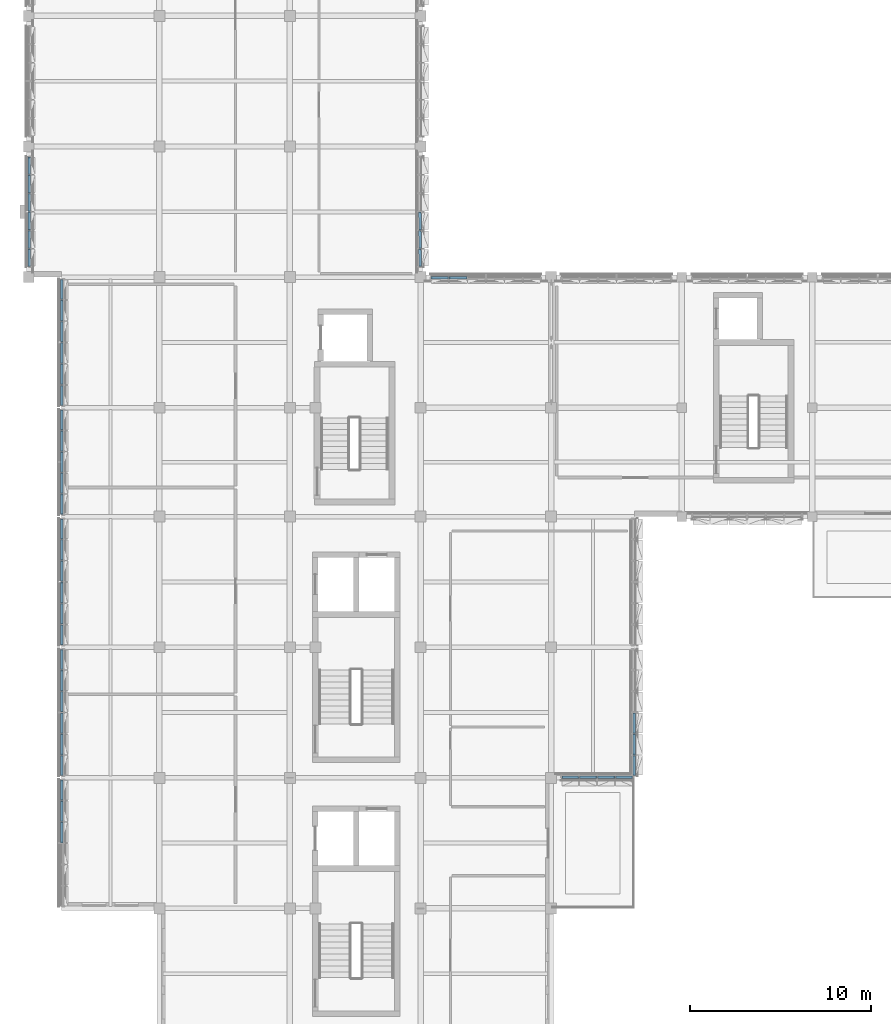
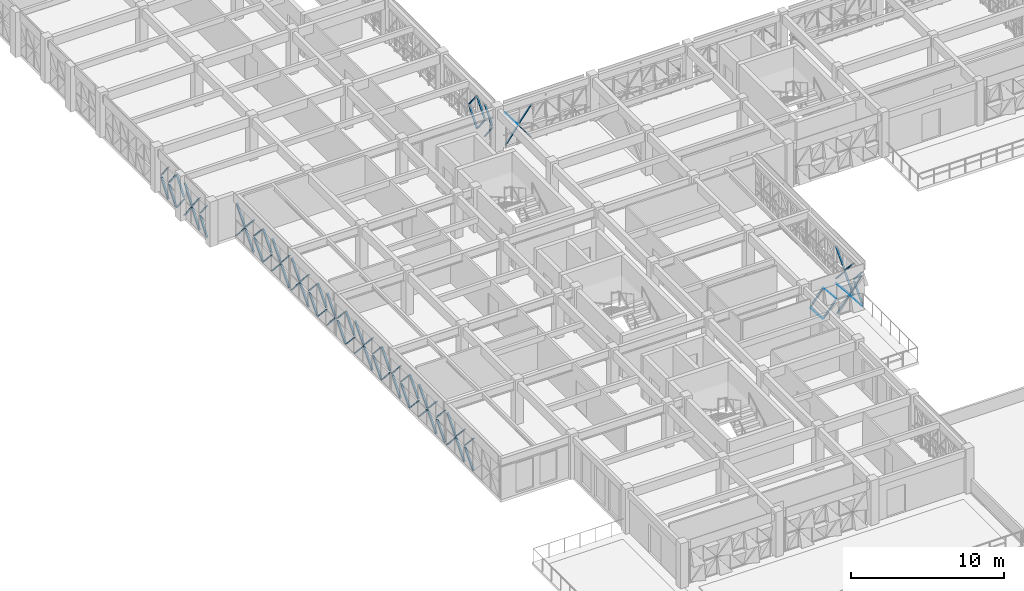
# One storey, part 45 of 74: 88 discrete accessories.
"""IFC4 building model written with IfcOpenShell, lengths in metres."""

from ifc_helpers import new_model, si_unit, direction, frame, origin, origin_2d, place, context, subcontext, project, spatial, rectangle, extrude, material, type_object, element, save


model = new_model("IFC4")

# Units and contexts
model_context = context("Model", 3, precision=1e-05, world=origin(), true_north=direction((0.0, 1.0)))
body_context = subcontext(model_context, "Body", "Model", "MODEL_VIEW")
ifc_project = project(units=[si_unit("LENGTHUNIT", "METRE"), si_unit("AREAUNIT", "SQUARE_METRE"), si_unit("VOLUMEUNIT", "CUBIC_METRE"), si_unit("PLANEANGLEUNIT", "RADIAN"), si_unit("MASSUNIT", "GRAM", prefix="KILO")], contexts=[model_context])

# Site, building, storey
site_placement = place(None, origin())
site = spatial("IfcSite", under=ifc_project, at=site_placement, CompositionType="ELEMENT")
building_placement = place(site_placement, origin())
building = spatial("IfcBuilding", under=site, at=building_placement, Name="Alvorim Cloister Faculty of Sciences", CompositionType="ELEMENT")
storey_placement = place(building_placement, frame((0.0, 0.0, 15.75)))
storey = spatial("IfcBuildingStorey", under=building, at=storey_placement, Name="L04", CompositionType="ELEMENT", Elevation=15.75)

# Discrete accessories
ifc_material = material(Name="Aluminium Alloy 6063-T6", Category="aluminium")
discrete_accessory_type = type_object("IfcDiscreteAccessoryType", Name="ACC-DIAG-BAR", PredefinedType="BRACKET", material=ifc_material)
for number, where, z_axis, x_axis, name in (
    (1, (1.822509765625, 25.232421875, 0.139892578125), (0.006076684558, 0.672881655969, 0.73972518611), (-0.999959224486, 0.009030468767, 0.0), "Diagonal Cassette Glazing Bracket ACC-01759"),
    (2, (1.822509765625, 25.232421875, 2.717041015625), (0.006076684558, 0.672881655969, -0.73972518611), (-0.999959224486, 0.009030468767, 0.0), "Diagonal Cassette Glazing Bracket ACC-01760"),
    (3, (1.822509765625, 26.40576171875, 0.139892578125), (0.006076684558, 0.672881655969, 0.73972518611), (-0.999959224486, 0.009030468767, 0.0), "Diagonal Cassette Glazing Bracket ACC-01761"),
    (4, (1.822509765625, 26.40576171875, 2.717041015625), (0.006076684558, 0.672881655969, -0.73972518611), (-0.999959224486, 0.009030468767, 0.0), "Diagonal Cassette Glazing Bracket ACC-01762"),
):
    element("IfcDiscreteAccessory", number, at=place(storey_placement, frame(where, z_axis=z_axis, x_axis=x_axis)), inside=storey, type_object=discrete_accessory_type, Name=name, PredefinedType="BRACKET", context=body_context, shape_type="SweptSolid", body=[
        extrude(rectangle(XDim=0.139892578125, YDim=0.044921875, at=origin_2d()), origin(), (0.0, 0.0, 1.0), 1.647216796875),
    ])
for number, where, z_axis, x_axis, name in (
    (5, (1.822509765625, 27.5791015625, 1.3583984375), (0.00615769655, 0.661877285306, -0.749586914219), (-0.99995672636, 0.009302978394, 0.0), "Diagonal Cassette Glazing Bracket ACC-01763"),
    (6, (1.822509765625, 27.5791015625, 1.49853515625), (0.00615769655, 0.661877285306, 0.749586914219), (-0.99995672636, 0.009302978394, 0.0), "Diagonal Cassette Glazing Bracket ACC-01764"),
    (7, (1.822509765625, 28.945068359375, 0.139892578125), (0.006158308683, 0.661792879469, 0.749661430193), (-0.999956706716, 0.009305089645, 0.0), "Diagonal Cassette Glazing Bracket ACC-01766"),
    (8, (1.822509765625, 28.945068359375, 2.717041015625), (0.006158308683, 0.661792879469, -0.749661430193), (-0.999956706716, 0.009305089645, 0.0), "Diagonal Cassette Glazing Bracket ACC-01767"),
):
    element("IfcDiscreteAccessory", number, at=place(storey_placement, frame(where, z_axis=z_axis, x_axis=x_axis)), inside=storey, type_object=discrete_accessory_type, Name=name, PredefinedType="BRACKET", context=body_context, shape_type="SweptSolid", body=[
        extrude(rectangle(XDim=0.139892578125, YDim=0.044921875, at=origin_2d()), origin(), (0.0, 0.0, 1.0), 1.62548828125),
    ])
for number, where, z_axis, x_axis, name in (
    (9, (1.822509765625, 30.0859375, 0.139892578125), (0.006077290604, 0.67280053784, 0.739798961084), (-0.999959206518, 0.009032458133, 0.0), "Diagonal Cassette Glazing Bracket ACC-01768"),
    (10, (1.822509765625, 30.0859375, 2.717041015625), (0.006077290604, 0.67280053784, -0.739798961084), (-0.999959206518, 0.009032458133, 0.0), "Diagonal Cassette Glazing Bracket ACC-01769"),
    (11, (1.822509765625, 31.25927734375, 1.3583984375), (0.006077290604, 0.67280053784, -0.739798961084), (-0.999959206518, 0.009032458133, 0.0), "Diagonal Cassette Glazing Bracket ACC-01770"),
    (12, (1.822509765625, 31.25927734375, 1.49853515625), (0.006077290604, 0.67280053784, 0.739798961084), (-0.999959206518, 0.009032458133, 0.0), "Diagonal Cassette Glazing Bracket ACC-01771"),
    (13, (1.822509765625, 32.4326171875, 1.3583984375), (0.006077290604, 0.67280053784, -0.739798961084), (-0.999959206518, 0.009032458133, 0.0), "Diagonal Cassette Glazing Bracket ACC-01772"),
    (14, (1.822509765625, 32.4326171875, 1.49853515625), (0.006077290604, 0.67280053784, 0.739798961084), (-0.999959206518, 0.009032458133, 0.0), "Diagonal Cassette Glazing Bracket ACC-01773"),
):
    element("IfcDiscreteAccessory", number, at=place(storey_placement, frame(where, z_axis=z_axis, x_axis=x_axis)), inside=storey, type_object=discrete_accessory_type, Name=name, PredefinedType="BRACKET", context=body_context, shape_type="SweptSolid", body=[
        extrude(rectangle(XDim=0.139892578125, YDim=0.044921875, at=origin_2d()), origin(), (0.0, 0.0, 1.0), 1.64697265625),
    ])
for number, where, z_axis, x_axis, name in (
    (15, (1.822509765625, 33.605712890625, 0.139892578125), (0.006076684558, 0.672881655969, 0.73972518611), (-0.999959224486, 0.009030468767, 0.0), "Diagonal Cassette Glazing Bracket ACC-01774"),
    (16, (1.822509765625, 33.605712890625, 2.717041015625), (0.006076684558, 0.672881655969, -0.73972518611), (-0.999959224486, 0.009030468767, 0.0), "Diagonal Cassette Glazing Bracket ACC-01775"),
):
    element("IfcDiscreteAccessory", number, at=place(storey_placement, frame(where, z_axis=z_axis, x_axis=x_axis)), inside=storey, type_object=discrete_accessory_type, Name=name, PredefinedType="BRACKET", context=body_context, shape_type="SweptSolid", body=[
        extrude(rectangle(XDim=0.139892578125, YDim=0.044921875, at=origin_2d()), origin(), (0.0, 0.0, 1.0), 1.647216796875),
    ])
for number, where, z_axis, x_axis, name in (
    (17, (1.822509765625, 34.779052734375, 0.139892578125), (0.00615769655, 0.661877285306, 0.749586914219), (-0.99995672636, 0.009302978394, 0.0), "Diagonal Cassette Glazing Bracket ACC-01776"),
    (18, (1.822509765625, 34.779052734375, 2.717041015625), (0.00615769655, 0.661877285306, -0.749586914219), (-0.99995672636, 0.009302978394, 0.0), "Diagonal Cassette Glazing Bracket ACC-01777"),
    (19, (1.822509765625, 36.14501953125, 1.3583984375), (0.00615769655, 0.661877285306, -0.749586914219), (-0.99995672636, 0.009302978394, 0.0), "Diagonal Cassette Glazing Bracket ACC-01779"),
    (20, (1.822509765625, 36.14501953125, 1.49853515625), (0.00615769655, 0.661877285306, 0.749586914219), (-0.99995672636, 0.009302978394, 0.0), "Diagonal Cassette Glazing Bracket ACC-01780"),
):
    element("IfcDiscreteAccessory", number, at=place(storey_placement, frame(where, z_axis=z_axis, x_axis=x_axis)), inside=storey, type_object=discrete_accessory_type, Name=name, PredefinedType="BRACKET", context=body_context, shape_type="SweptSolid", body=[
        extrude(rectangle(XDim=0.139892578125, YDim=0.044921875, at=origin_2d()), origin(), (0.0, 0.0, 1.0), 1.62548828125),
    ])
for number, where, z_axis, x_axis, name in (
    (21, (1.822509765625, 37.285888671875, 0.139892578125), (0.006076684558, 0.672881655969, 0.73972518611), (-0.999959224486, 0.009030468767, 0.0), "Diagonal Cassette Glazing Bracket ACC-01781"),
    (22, (1.822509765625, 37.285888671875, 2.717041015625), (0.006076684558, 0.672881655969, -0.73972518611), (-0.999959224486, 0.009030468767, 0.0), "Diagonal Cassette Glazing Bracket ACC-01782"),
):
    element("IfcDiscreteAccessory", number, at=place(storey_placement, frame(where, z_axis=z_axis, x_axis=x_axis)), inside=storey, type_object=discrete_accessory_type, Name=name, PredefinedType="BRACKET", context=body_context, shape_type="SweptSolid", body=[
        extrude(rectangle(XDim=0.139892578125, YDim=0.044921875, at=origin_2d()), origin(), (0.0, 0.0, 1.0), 1.647216796875),
    ])
for number, where, z_axis, x_axis, name in (
    (23, (1.822509765625, 38.459228515625, 0.139892578125), (0.006077290604, 0.67280053784, 0.739798961084), (-0.999959206518, 0.009032458133, 0.0), "Diagonal Cassette Glazing Bracket ACC-01783"),
    (24, (1.822509765625, 38.459228515625, 2.717041015625), (0.006077290604, 0.67280053784, -0.739798961084), (-0.999959206518, 0.009032458133, 0.0), "Diagonal Cassette Glazing Bracket ACC-01784"),
    (25, (1.822509765625, 39.632568359375, 1.3583984375), (0.006077290604, 0.67280053784, -0.739798961084), (-0.999959206518, 0.009032458133, 0.0), "Diagonal Cassette Glazing Bracket ACC-01785"),
    (26, (1.822509765625, 39.632568359375, 1.49853515625), (0.006077290604, 0.67280053784, 0.739798961084), (-0.999959206518, 0.009032458133, 0.0), "Diagonal Cassette Glazing Bracket ACC-01786"),
    (27, (1.822509765625, 40.805908203125, 1.3583984375), (0.006077290604, 0.67280053784, -0.739798961084), (-0.999959206518, 0.009032458133, 0.0), "Diagonal Cassette Glazing Bracket ACC-01787"),
    (28, (1.822509765625, 40.805908203125, 1.49853515625), (0.006077290604, 0.67280053784, 0.739798961084), (-0.999959206518, 0.009032458133, 0.0), "Diagonal Cassette Glazing Bracket ACC-01788"),
):
    element("IfcDiscreteAccessory", number, at=place(storey_placement, frame(where, z_axis=z_axis, x_axis=x_axis)), inside=storey, type_object=discrete_accessory_type, Name=name, PredefinedType="BRACKET", context=body_context, shape_type="SweptSolid", body=[
        extrude(rectangle(XDim=0.139892578125, YDim=0.044921875, at=origin_2d()), origin(), (0.0, 0.0, 1.0), 1.64697265625),
    ])
for number, where, z_axis, x_axis, name in (
    (29, (1.822509765625, 41.979248046875, 0.139892578125), (0.006158308683, 0.661792879469, 0.749661430193), (-0.999956706716, 0.009305089645, 0.0), "Diagonal Cassette Glazing Bracket ACC-01789"),
    (30, (1.822509765625, 41.979248046875, 2.717041015625), (0.006158308683, 0.661792879469, -0.749661430193), (-0.999956706716, 0.009305089645, 0.0), "Diagonal Cassette Glazing Bracket ACC-01790"),
):
    element("IfcDiscreteAccessory", number, at=place(storey_placement, frame(where, z_axis=z_axis, x_axis=x_axis)), inside=storey, type_object=discrete_accessory_type, Name=name, PredefinedType="BRACKET", context=body_context, shape_type="SweptSolid", body=[
        extrude(rectangle(XDim=0.139892578125, YDim=0.044921875, at=origin_2d()), origin(), (0.0, 0.0, 1.0), 1.62548828125),
    ])
for number, where, z_axis, x_axis, name in (
    (31, (1.822509765625, 43.344970703125, 1.3583984375), (0.006171173495, 0.660014531136, -0.751227485724), (-0.999956291083, 0.009349648332, 0.0), "Diagonal Cassette Glazing Bracket ACC-01792"),
    (32, (1.822509765625, 43.344970703125, 1.49853515625), (0.006171173495, 0.660014531136, 0.751227485724), (-0.999956291083, 0.009349648332, 0.0), "Diagonal Cassette Glazing Bracket ACC-01793"),
):
    element("IfcDiscreteAccessory", number, at=place(storey_placement, frame(where, z_axis=z_axis, x_axis=x_axis)), inside=storey, type_object=discrete_accessory_type, Name=name, PredefinedType="BRACKET", context=body_context, shape_type="SweptSolid", body=[
        extrude(rectangle(XDim=0.139892578125, YDim=0.044921875, at=origin_2d()), origin(), (0.0, 0.0, 1.0), 1.6220703125),
    ])
for number, where, z_axis, x_axis, name in (
    (33, (1.822509765625, 44.48046875, 1.3583984375), (0.006090028559, 0.671091439759, -0.741349574111), (-0.999958826438, 0.009074438221, 0.0), "Diagonal Cassette Glazing Bracket ACC-01794"),
    (34, (1.822509765625, 44.48046875, 1.49853515625), (0.006090028559, 0.671091439759, 0.741349574111), (-0.999958826438, 0.009074438221, 0.0), "Diagonal Cassette Glazing Bracket ACC-01795"),
    (35, (1.822509765625, 45.6484375, 0.139892578125), (0.006090028559, 0.671091439759, 0.741349574111), (-0.999958826438, 0.009074438221, 0.0), "Diagonal Cassette Glazing Bracket ACC-01796"),
    (36, (1.822509765625, 45.6484375, 2.717041015625), (0.006090028559, 0.671091439759, -0.741349574111), (-0.999958826438, 0.009074438221, 0.0), "Diagonal Cassette Glazing Bracket ACC-01797"),
    (37, (1.822509765625, 46.81640625, 0.139892578125), (0.006090028559, 0.671091439759, 0.741349574111), (-0.999958826438, 0.009074438221, 0.0), "Diagonal Cassette Glazing Bracket ACC-01798"),
    (38, (1.822509765625, 46.81640625, 2.717041015625), (0.006090028559, 0.671091439759, -0.741349574111), (-0.999958826438, 0.009074438221, 0.0), "Diagonal Cassette Glazing Bracket ACC-01799"),
):
    element("IfcDiscreteAccessory", number, at=place(storey_placement, frame(where, z_axis=z_axis, x_axis=x_axis)), inside=storey, type_object=discrete_accessory_type, Name=name, PredefinedType="BRACKET", context=body_context, shape_type="SweptSolid", body=[
        extrude(rectangle(XDim=0.139892578125, YDim=0.044921875, at=origin_2d()), origin(), (0.0, 0.0, 1.0), 1.6435546875),
    ])
for number, where, z_axis, x_axis, name in (
    (39, (1.822509765625, 47.984619140625, 1.3583984375), (0.00617178658, 0.659929569892, -0.751302117548), (-0.999956271142, 0.00935178082, 0.0), "Diagonal Cassette Glazing Bracket ACC-01800"),
    (40, (1.822509765625, 47.984619140625, 1.49853515625), (0.00617178658, 0.659929569892, 0.751302117548), (-0.999956271142, 0.00935178082, 0.0), "Diagonal Cassette Glazing Bracket ACC-01801"),
):
    element("IfcDiscreteAccessory", number, at=place(storey_placement, frame(where, z_axis=z_axis, x_axis=x_axis)), inside=storey, type_object=discrete_accessory_type, Name=name, PredefinedType="BRACKET", context=body_context, shape_type="SweptSolid", body=[
        extrude(rectangle(XDim=0.139892578125, YDim=0.044921875, at=origin_2d()), origin(), (0.0, 0.0, 1.0), 1.621826171875),
    ])
for number, where, z_axis, x_axis, name in (
    (41, (1.822509765625, 49.344970703125, 0.139892578125), (0.00615769655, 0.661877285306, 0.749586914219), (-0.99995672636, 0.009302978394, 0.0), "Diagonal Cassette Glazing Bracket ACC-01803"),
    (42, (1.822509765625, 49.344970703125, 2.717041015625), (0.00615769655, 0.661877285306, -0.749586914219), (-0.99995672636, 0.009302978394, 0.0), "Diagonal Cassette Glazing Bracket ACC-01804"),
):
    element("IfcDiscreteAccessory", number, at=place(storey_placement, frame(where, z_axis=z_axis, x_axis=x_axis)), inside=storey, type_object=discrete_accessory_type, Name=name, PredefinedType="BRACKET", context=body_context, shape_type="SweptSolid", body=[
        extrude(rectangle(XDim=0.139892578125, YDim=0.044921875, at=origin_2d()), origin(), (0.0, 0.0, 1.0), 1.62548828125),
    ])
for number, where, z_axis, x_axis, name in (
    (43, (1.822509765625, 50.48583984375, 1.3583984375), (0.006076684558, 0.672881655969, -0.73972518611), (-0.999959224486, 0.009030468767, 0.0), "Diagonal Cassette Glazing Bracket ACC-01805"),
    (44, (1.822509765625, 50.48583984375, 1.49853515625), (0.006076684558, 0.672881655969, 0.73972518611), (-0.999959224486, 0.009030468767, 0.0), "Diagonal Cassette Glazing Bracket ACC-01806"),
    (45, (1.822509765625, 51.6591796875, 1.3583984375), (0.006076684558, 0.672881655969, -0.73972518611), (-0.999959224486, 0.009030468767, 0.0), "Diagonal Cassette Glazing Bracket ACC-01807"),
    (46, (1.822509765625, 51.6591796875, 1.49853515625), (0.006076684558, 0.672881655969, 0.73972518611), (-0.999959224486, 0.009030468767, 0.0), "Diagonal Cassette Glazing Bracket ACC-01808"),
    (47, (1.822509765625, 52.83251953125, 0.139892578125), (0.006076684558, 0.672881655969, 0.73972518611), (-0.999959224486, 0.009030468767, 0.0), "Diagonal Cassette Glazing Bracket ACC-01809"),
    (48, (1.822509765625, 52.83251953125, 2.717041015625), (0.006076684558, 0.672881655969, -0.73972518611), (-0.999959224486, 0.009030468767, 0.0), "Diagonal Cassette Glazing Bracket ACC-01810"),
    (49, (1.822509765625, 54.005859375, 0.139892578125), (0.006076684558, 0.672881655969, 0.73972518611), (-0.999959224486, 0.009030468767, 0.0), "Diagonal Cassette Glazing Bracket ACC-01811"),
    (50, (1.822509765625, 54.005859375, 2.717041015625), (0.006076684558, 0.672881655969, -0.73972518611), (-0.999959224486, 0.009030468767, 0.0), "Diagonal Cassette Glazing Bracket ACC-01812"),
):
    element("IfcDiscreteAccessory", number, at=place(storey_placement, frame(where, z_axis=z_axis, x_axis=x_axis)), inside=storey, type_object=discrete_accessory_type, Name=name, PredefinedType="BRACKET", context=body_context, shape_type="SweptSolid", body=[
        extrude(rectangle(XDim=0.139892578125, YDim=0.044921875, at=origin_2d()), origin(), (0.0, 0.0, 1.0), 1.647216796875),
    ])
for number, where, z_axis, x_axis, name in (
    (51, (1.822509765625, 55.17919921875, 1.3583984375), (0.006158308683, 0.661792879469, -0.749661430193), (-0.999956706716, 0.009305089645, 0.0), "Diagonal Cassette Glazing Bracket ACC-01813"),
    (52, (1.822509765625, 55.17919921875, 1.49853515625), (0.006158308683, 0.661792879469, 0.749661430193), (-0.999956706716, 0.009305089645, 0.0), "Diagonal Cassette Glazing Bracket ACC-01814"),
):
    element("IfcDiscreteAccessory", number, at=place(storey_placement, frame(where, z_axis=z_axis, x_axis=x_axis)), inside=storey, type_object=discrete_accessory_type, Name=name, PredefinedType="BRACKET", context=body_context, shape_type="SweptSolid", body=[
        extrude(rectangle(XDim=0.139892578125, YDim=0.044921875, at=origin_2d()), origin(), (0.0, 0.0, 1.0), 1.62548828125),
    ])
discrete_accessory_1_placement = place(storey_placement, frame((0.0224609375, 57.0048828125, 0.139892578125), z_axis=(0.006560793558, 0.604713142785, 0.796416330151), x_axis=(-0.999941150118, 0.010848792579, 0.0)))
element("IfcDiscreteAccessory", 53, at=discrete_accessory_1_placement, inside=storey, type_object=discrete_accessory_type, Name="Diagonal Cassette Glazing Bracket ACC-01816", PredefinedType="BRACKET", context=body_context, shape_type="SweptSolid", body=[
    extrude(rectangle(XDim=0.139892578125, YDim=0.044921875, at=origin_2d()), origin(), (0.0, 0.0, 1.0), 1.525634765625),
])
discrete_accessory_2_placement = place(storey_placement, frame((0.0224609375, 57.0048828125, 2.7099609375), z_axis=(0.006561629754, 0.604790215644, -0.796357796519), x_axis=(-0.999941150118, 0.010848792579, 0.0)))
element("IfcDiscreteAccessory", 54, at=discrete_accessory_2_placement, inside=storey, type_object=discrete_accessory_type, Name="Diagonal Cassette Glazing Bracket ACC-01817", PredefinedType="BRACKET", context=body_context, shape_type="SweptSolid", body=[
    extrude(rectangle(XDim=0.139892578125, YDim=0.044921875, at=origin_2d()), origin(), (0.0, 0.0, 1.0), 1.525390625),
])
discrete_accessory_3_placement = place(storey_placement, frame((0.0224609375, 57.992431640625, 0.139892578125), z_axis=(0.006476523147, 0.617955086572, 0.786186724404), x_axis=(-0.999945083323, 0.010479997039, 0.0)))
element("IfcDiscreteAccessory", 55, at=discrete_accessory_3_placement, inside=storey, type_object=discrete_accessory_type, Name="Diagonal Cassette Glazing Bracket ACC-01818", PredefinedType="BRACKET", context=body_context, shape_type="SweptSolid", body=[
    extrude(rectangle(XDim=0.139892578125, YDim=0.044921875, at=origin_2d()), origin(), (0.0, 0.0, 1.0), 1.545654296875),
])
discrete_accessory_4_placement = place(storey_placement, frame((0.0224609375, 57.992431640625, 2.7099609375), z_axis=(0.00647732753, 0.618031836495, -0.786126385072), x_axis=(-0.999945083323, 0.010479997039, 0.0)))
element("IfcDiscreteAccessory", 56, at=discrete_accessory_4_placement, inside=storey, type_object=discrete_accessory_type, Name="Diagonal Cassette Glazing Bracket ACC-01819", PredefinedType="BRACKET", context=body_context, shape_type="SweptSolid", body=[
    extrude(rectangle(XDim=0.139892578125, YDim=0.044921875, at=origin_2d()), origin(), (0.0, 0.0, 1.0), 1.54541015625),
])
discrete_accessory_5_placement = place(storey_placement, frame((0.0224609375, 59.012451171875, 1.35498046875), z_axis=(0.006476523147, 0.617955086572, -0.786186724404), x_axis=(-0.999945083323, 0.010479997039, 0.0)))
element("IfcDiscreteAccessory", 57, at=discrete_accessory_5_placement, inside=storey, type_object=discrete_accessory_type, Name="Diagonal Cassette Glazing Bracket ACC-01820", PredefinedType="BRACKET", context=body_context, shape_type="SweptSolid", body=[
    extrude(rectangle(XDim=0.139892578125, YDim=0.044921875, at=origin_2d()), origin(), (0.0, 0.0, 1.0), 1.545654296875),
])
discrete_accessory_6_placement = place(storey_placement, frame((0.0224609375, 59.012451171875, 1.4951171875), z_axis=(0.00647732753, 0.618031836495, 0.786126385072), x_axis=(-0.999945083323, 0.010479997039, 0.0)))
element("IfcDiscreteAccessory", 58, at=discrete_accessory_6_placement, inside=storey, type_object=discrete_accessory_type, Name="Diagonal Cassette Glazing Bracket ACC-01821", PredefinedType="BRACKET", context=body_context, shape_type="SweptSolid", body=[
    extrude(rectangle(XDim=0.139892578125, YDim=0.044921875, at=origin_2d()), origin(), (0.0, 0.0, 1.0), 1.54541015625),
])
discrete_accessory_7_placement = place(storey_placement, frame((0.0224609375, 60.032470703125, 1.35498046875), z_axis=(0.006476523147, 0.617955086572, -0.786186724404), x_axis=(-0.999945083323, 0.010479997039, 0.0)))
element("IfcDiscreteAccessory", 59, at=discrete_accessory_7_placement, inside=storey, type_object=discrete_accessory_type, Name="Diagonal Cassette Glazing Bracket ACC-01822", PredefinedType="BRACKET", context=body_context, shape_type="SweptSolid", body=[
    extrude(rectangle(XDim=0.139892578125, YDim=0.044921875, at=origin_2d()), origin(), (0.0, 0.0, 1.0), 1.545654296875),
])
discrete_accessory_8_placement = place(storey_placement, frame((0.0224609375, 60.032470703125, 1.4951171875), z_axis=(0.00647732753, 0.618031836495, 0.786126385072), x_axis=(-0.999945083323, 0.010479997039, 0.0)))
element("IfcDiscreteAccessory", 60, at=discrete_accessory_8_placement, inside=storey, type_object=discrete_accessory_type, Name="Diagonal Cassette Glazing Bracket ACC-01823", PredefinedType="BRACKET", context=body_context, shape_type="SweptSolid", body=[
    extrude(rectangle(XDim=0.139892578125, YDim=0.044921875, at=origin_2d()), origin(), (0.0, 0.0, 1.0), 1.54541015625),
])
discrete_accessory_9_placement = place(storey_placement, frame((0.0224609375, 61.052490234375, 0.139892578125), z_axis=(0.006476523147, 0.617955086572, 0.786186724404), x_axis=(-0.999945083323, 0.010479997039, 0.0)))
element("IfcDiscreteAccessory", 61, at=discrete_accessory_9_placement, inside=storey, type_object=discrete_accessory_type, Name="Diagonal Cassette Glazing Bracket ACC-01824", PredefinedType="BRACKET", context=body_context, shape_type="SweptSolid", body=[
    extrude(rectangle(XDim=0.139892578125, YDim=0.044921875, at=origin_2d()), origin(), (0.0, 0.0, 1.0), 1.545654296875),
])
discrete_accessory_10_placement = place(storey_placement, frame((0.0224609375, 61.052490234375, 2.7099609375), z_axis=(0.00647732753, 0.618031836495, -0.786126385072), x_axis=(-0.999945083323, 0.010479997039, 0.0)))
element("IfcDiscreteAccessory", 62, at=discrete_accessory_10_placement, inside=storey, type_object=discrete_accessory_type, Name="Diagonal Cassette Glazing Bracket ACC-01825", PredefinedType="BRACKET", context=body_context, shape_type="SweptSolid", body=[
    extrude(rectangle(XDim=0.139892578125, YDim=0.044921875, at=origin_2d()), origin(), (0.0, 0.0, 1.0), 1.54541015625),
])
discrete_accessory_11_placement = place(storey_placement, frame((0.0224609375, 62.072509765625, 0.139892578125), z_axis=(0.006560793558, 0.604713142785, 0.796416330151), x_axis=(-0.999941150118, 0.010848792579, 0.0)))
element("IfcDiscreteAccessory", 63, at=discrete_accessory_11_placement, inside=storey, type_object=discrete_accessory_type, Name="Diagonal Cassette Glazing Bracket ACC-01826", PredefinedType="BRACKET", context=body_context, shape_type="SweptSolid", body=[
    extrude(rectangle(XDim=0.139892578125, YDim=0.044921875, at=origin_2d()), origin(), (0.0, 0.0, 1.0), 1.525634765625),
])
discrete_accessory_12_placement = place(storey_placement, frame((0.0224609375, 62.072509765625, 2.7099609375), z_axis=(0.006561629754, 0.604790215644, -0.796357796519), x_axis=(-0.999941150118, 0.010848792579, 0.0)))
element("IfcDiscreteAccessory", 64, at=discrete_accessory_12_placement, inside=storey, type_object=discrete_accessory_type, Name="Diagonal Cassette Glazing Bracket ACC-01827", PredefinedType="BRACKET", context=body_context, shape_type="SweptSolid", body=[
    extrude(rectangle(XDim=0.139892578125, YDim=0.044921875, at=origin_2d()), origin(), (0.0, 0.0, 1.0), 1.525390625),
])
discrete_accessory_13_placement = place(storey_placement, frame((21.577392578125, 57.0048828125, 1.35498046875), z_axis=(-0.006560793558, 0.604713142785, -0.796416330151), x_axis=(-0.999941150118, -0.010848792579, 0.0)))
element("IfcDiscreteAccessory", 65, at=discrete_accessory_13_placement, inside=storey, type_object=discrete_accessory_type, Name="Diagonal Cassette Glazing Bracket ACC-02038", PredefinedType="BRACKET", context=body_context, shape_type="SweptSolid", body=[
    extrude(rectangle(XDim=0.139892578125, YDim=0.044921875, at=origin_2d()), origin(), (0.0, 0.0, 1.0), 1.525634765625),
])
discrete_accessory_14_placement = place(storey_placement, frame((21.577392578125, 57.0048828125, 1.4951171875), z_axis=(-0.006561629754, 0.604790215644, 0.796357796519), x_axis=(-0.999941150118, -0.010848792579, 0.0)))
element("IfcDiscreteAccessory", 66, at=discrete_accessory_14_placement, inside=storey, type_object=discrete_accessory_type, Name="Diagonal Cassette Glazing Bracket ACC-02039", PredefinedType="BRACKET", context=body_context, shape_type="SweptSolid", body=[
    extrude(rectangle(XDim=0.139892578125, YDim=0.044921875, at=origin_2d()), origin(), (0.0, 0.0, 1.0), 1.525390625),
])
discrete_accessory_15_placement = place(storey_placement, frame((21.577392578125, 57.992431640625, 1.35498046875), z_axis=(-0.006476523147, 0.617955086572, -0.786186724404), x_axis=(-0.999945083323, -0.010479997039, 0.0)))
element("IfcDiscreteAccessory", 67, at=discrete_accessory_15_placement, inside=storey, type_object=discrete_accessory_type, Name="Diagonal Cassette Glazing Bracket ACC-02040", PredefinedType="BRACKET", context=body_context, shape_type="SweptSolid", body=[
    extrude(rectangle(XDim=0.139892578125, YDim=0.044921875, at=origin_2d()), origin(), (0.0, 0.0, 1.0), 1.545654296875),
])
discrete_accessory_16_placement = place(storey_placement, frame((21.577392578125, 57.992431640625, 1.4951171875), z_axis=(-0.00647732753, 0.618031836495, 0.786126385072), x_axis=(-0.999945083323, -0.010479997039, 0.0)))
element("IfcDiscreteAccessory", 68, at=discrete_accessory_16_placement, inside=storey, type_object=discrete_accessory_type, Name="Diagonal Cassette Glazing Bracket ACC-02041", PredefinedType="BRACKET", context=body_context, shape_type="SweptSolid", body=[
    extrude(rectangle(XDim=0.139892578125, YDim=0.044921875, at=origin_2d()), origin(), (0.0, 0.0, 1.0), 1.54541015625),
])
discrete_accessory_17_placement = place(storey_placement, frame((21.577392578125, 59.012451171875, 0.139892578125), z_axis=(-0.006476523147, 0.617955086572, 0.786186724404), x_axis=(-0.999945083323, -0.010479997039, 0.0)))
element("IfcDiscreteAccessory", 69, at=discrete_accessory_17_placement, inside=storey, type_object=discrete_accessory_type, Name="Diagonal Cassette Glazing Bracket ACC-02042", PredefinedType="BRACKET", context=body_context, shape_type="SweptSolid", body=[
    extrude(rectangle(XDim=0.139892578125, YDim=0.044921875, at=origin_2d()), origin(), (0.0, 0.0, 1.0), 1.545654296875),
])
discrete_accessory_18_placement = place(storey_placement, frame((21.577392578125, 59.012451171875, 2.7099609375), z_axis=(-0.00647732753, 0.618031836495, -0.786126385072), x_axis=(-0.999945083323, -0.010479997039, 0.0)))
element("IfcDiscreteAccessory", 70, at=discrete_accessory_18_placement, inside=storey, type_object=discrete_accessory_type, Name="Diagonal Cassette Glazing Bracket ACC-02043", PredefinedType="BRACKET", context=body_context, shape_type="SweptSolid", body=[
    extrude(rectangle(XDim=0.139892578125, YDim=0.044921875, at=origin_2d()), origin(), (0.0, 0.0, 1.0), 1.54541015625),
])
discrete_accessory_19_placement = place(storey_placement, frame((22.205078125, 56.37744140625, 0.139892578125), z_axis=(0.604611624251, -0.006561428426, 0.796493397008), x_axis=(0.010851663811, 0.999941118963, 0.0)))
element("IfcDiscreteAccessory", 71, at=discrete_accessory_19_placement, inside=storey, type_object=discrete_accessory_type, Name="Diagonal Cassette Glazing Bracket ACC-02051", PredefinedType="BRACKET", context=body_context, shape_type="SweptSolid", body=[
    extrude(rectangle(XDim=0.139892578125, YDim=0.044921875, at=origin_2d()), origin(), (0.0, 0.0, 1.0), 1.525634765625),
])
discrete_accessory_20_placement = place(storey_placement, frame((22.205078125, 56.37744140625, 2.7099609375), z_axis=(0.604688699088, -0.006562264866, -0.796434877359), x_axis=(0.010851663811, 0.999941118963, 0.0)))
element("IfcDiscreteAccessory", 72, at=discrete_accessory_20_placement, inside=storey, type_object=discrete_accessory_type, Name="Diagonal Cassette Glazing Bracket ACC-02052", PredefinedType="BRACKET", context=body_context, shape_type="SweptSolid", body=[
    extrude(rectangle(XDim=0.139892578125, YDim=0.044921875, at=origin_2d()), origin(), (0.0, 0.0, 1.0), 1.525390625),
])
discrete_accessory_21_placement = place(storey_placement, frame((23.1923828125, 56.37744140625, 1.35498046875), z_axis=(0.617955086572, -0.006476523147, -0.786186724404), x_axis=(0.010479997039, 0.999945083323, 0.0)))
element("IfcDiscreteAccessory", 73, at=discrete_accessory_21_placement, inside=storey, type_object=discrete_accessory_type, Name="Diagonal Cassette Glazing Bracket ACC-02053", PredefinedType="BRACKET", context=body_context, shape_type="SweptSolid", body=[
    extrude(rectangle(XDim=0.139892578125, YDim=0.044921875, at=origin_2d()), origin(), (0.0, 0.0, 1.0), 1.545654296875),
])
discrete_accessory_22_placement = place(storey_placement, frame((23.1923828125, 56.37744140625, 1.4951171875), z_axis=(0.618031836495, -0.00647732753, 0.786126385072), x_axis=(0.010479997039, 0.999945083323, 0.0)))
element("IfcDiscreteAccessory", 74, at=discrete_accessory_22_placement, inside=storey, type_object=discrete_accessory_type, Name="Diagonal Cassette Glazing Bracket ACC-02054", PredefinedType="BRACKET", context=body_context, shape_type="SweptSolid", body=[
    extrude(rectangle(XDim=0.139892578125, YDim=0.044921875, at=origin_2d()), origin(), (0.0, 0.0, 1.0), 1.54541015625),
])
for number, where, z_axis, x_axis, name in (
    (75, (33.37744140625, 28.945068359375, 0.139892578125), (-0.006158308683, 0.661792879469, 0.749661430193), (-0.999956706716, -0.009305089645, 0.0), "Diagonal Cassette Glazing Bracket ACC-02168"),
    (76, (33.37744140625, 28.945068359375, 2.717041015625), (-0.006158308683, 0.661792879469, -0.749661430193), (-0.999956706716, -0.009305089645, 0.0), "Diagonal Cassette Glazing Bracket ACC-02169"),
):
    element("IfcDiscreteAccessory", number, at=place(storey_placement, frame(where, z_axis=z_axis, x_axis=x_axis)), inside=storey, type_object=discrete_accessory_type, Name=name, PredefinedType="BRACKET", context=body_context, shape_type="SweptSolid", body=[
        extrude(rectangle(XDim=0.139892578125, YDim=0.044921875, at=origin_2d()), origin(), (0.0, 0.0, 1.0), 1.62548828125),
    ])
for number, where, z_axis, x_axis, name in (
    (77, (33.37744140625, 30.0859375, 0.139892578125), (-0.006077290604, 0.67280053784, 0.739798961084), (-0.999959206518, -0.009032458133, 0.0), "Diagonal Cassette Glazing Bracket ACC-02170"),
    (78, (33.37744140625, 30.0859375, 2.717041015625), (-0.006077290604, 0.67280053784, -0.739798961084), (-0.999959206518, -0.009032458133, 0.0), "Diagonal Cassette Glazing Bracket ACC-02171"),
    (79, (33.37744140625, 31.25927734375, 1.3583984375), (-0.006077290604, 0.67280053784, -0.739798961084), (-0.999959206518, -0.009032458133, 0.0), "Diagonal Cassette Glazing Bracket ACC-02172"),
    (80, (33.37744140625, 31.25927734375, 1.49853515625), (-0.006077290604, 0.67280053784, 0.739798961084), (-0.999959206518, -0.009032458133, 0.0), "Diagonal Cassette Glazing Bracket ACC-02173"),
):
    element("IfcDiscreteAccessory", number, at=place(storey_placement, frame(where, z_axis=z_axis, x_axis=x_axis)), inside=storey, type_object=discrete_accessory_type, Name=name, PredefinedType="BRACKET", context=body_context, shape_type="SweptSolid", body=[
        extrude(rectangle(XDim=0.139892578125, YDim=0.044921875, at=origin_2d()), origin(), (0.0, 0.0, 1.0), 1.64697265625),
    ])
discrete_accessory_23_placement = place(storey_placement, frame((29.405029296875, 28.822509765625, 1.282958984375), z_axis=(0.617524934404, 0.006887519671, -0.78652114877), x_axis=(-0.011152733966, 0.999937806329, 0.0)))
element("IfcDiscreteAccessory", 81, at=discrete_accessory_23_placement, inside=storey, type_object=discrete_accessory_type, Name="Diagonal Cassette Glazing Bracket ACC-02181", PredefinedType="BRACKET", context=body_context, shape_type="SweptSolid", body=[
    extrude(rectangle(XDim=0.139892578125, YDim=0.044921875, at=origin_2d()), origin(), (0.0, 0.0, 1.0), 1.453369140625),
])
discrete_accessory_24_placement = place(storey_placement, frame((29.405029296875, 28.822509765625, 1.423095703125), z_axis=(0.61760653317, 0.006888429777, 0.786457067945), x_axis=(-0.011152733966, 0.999937806329, 0.0)))
element("IfcDiscreteAccessory", 82, at=discrete_accessory_24_placement, inside=storey, type_object=discrete_accessory_type, Name="Diagonal Cassette Glazing Bracket ACC-02182", PredefinedType="BRACKET", context=body_context, shape_type="SweptSolid", body=[
    extrude(rectangle(XDim=0.139892578125, YDim=0.044921875, at=origin_2d()), origin(), (0.0, 0.0, 1.0), 1.453125),
])
for number, where, z_axis, x_axis, name in (
    (83, (30.367431640625, 28.822509765625, 0.139892578125), (0.631164140853, 0.006792055059, 0.775619555768), (-0.010760531826, 0.999942103801, 0.0), "Diagonal Cassette Glazing Bracket ACC-02183"),
    (84, (30.367431640625, 28.822509765625, 2.56591796875), (0.631245245499, 0.006792927839, -0.775553541779), (-0.010760531826, 0.999942103801, 0.0), "Diagonal Cassette Glazing Bracket ACC-02184"),
    (85, (31.362548828125, 28.822509765625, 0.139892578125), (0.631064458964, 0.006792765245, 0.775700655519), (-0.010763356526, 0.9999420734, 0.0), "Diagonal Cassette Glazing Bracket ACC-02185"),
):
    element("IfcDiscreteAccessory", number, at=place(storey_placement, frame(where, z_axis=z_axis, x_axis=x_axis)), inside=storey, type_object=discrete_accessory_type, Name=name, PredefinedType="BRACKET", context=body_context, shape_type="SweptSolid", body=[
        extrude(rectangle(XDim=0.139892578125, YDim=0.044921875, at=origin_2d()), origin(), (0.0, 0.0, 1.0), 1.4736328125),
    ])
discrete_accessory_25_placement = place(storey_placement, frame((31.362548828125, 28.822509765625, 2.56591796875), z_axis=(0.631145567763, 0.006793638298, -0.775634655474), x_axis=(-0.010763356526, 0.9999420734, 0.0)))
element("IfcDiscreteAccessory", 86, at=discrete_accessory_25_placement, inside=storey, type_object=discrete_accessory_type, Name="Diagonal Cassette Glazing Bracket ACC-02186", PredefinedType="BRACKET", context=body_context, shape_type="SweptSolid", body=[
    extrude(rectangle(XDim=0.139892578125, YDim=0.044921875, at=origin_2d()), origin(), (0.0, 0.0, 1.0), 1.473388671875),
])
discrete_accessory_26_placement = place(storey_placement, frame((32.357421875, 28.822509765625, 1.282958984375), z_axis=(0.617524934404, 0.006887519671, -0.78652114877), x_axis=(-0.011152733966, 0.999937806329, 0.0)))
element("IfcDiscreteAccessory", 87, at=discrete_accessory_26_placement, inside=storey, type_object=discrete_accessory_type, Name="Diagonal Cassette Glazing Bracket ACC-02187", PredefinedType="BRACKET", context=body_context, shape_type="SweptSolid", body=[
    extrude(rectangle(XDim=0.139892578125, YDim=0.044921875, at=origin_2d()), origin(), (0.0, 0.0, 1.0), 1.453369140625),
])
discrete_accessory_27_placement = place(storey_placement, frame((32.357421875, 28.822509765625, 1.423095703125), z_axis=(0.61760653317, 0.006888429777, 0.786457067945), x_axis=(-0.011152733966, 0.999937806329, 0.0)))
element("IfcDiscreteAccessory", 88, at=discrete_accessory_27_placement, inside=storey, type_object=discrete_accessory_type, Name="Diagonal Cassette Glazing Bracket ACC-02188", PredefinedType="BRACKET", context=body_context, shape_type="SweptSolid", body=[
    extrude(rectangle(XDim=0.139892578125, YDim=0.044921875, at=origin_2d()), origin(), (0.0, 0.0, 1.0), 1.453125),
])

save(model, "model.ifc")
